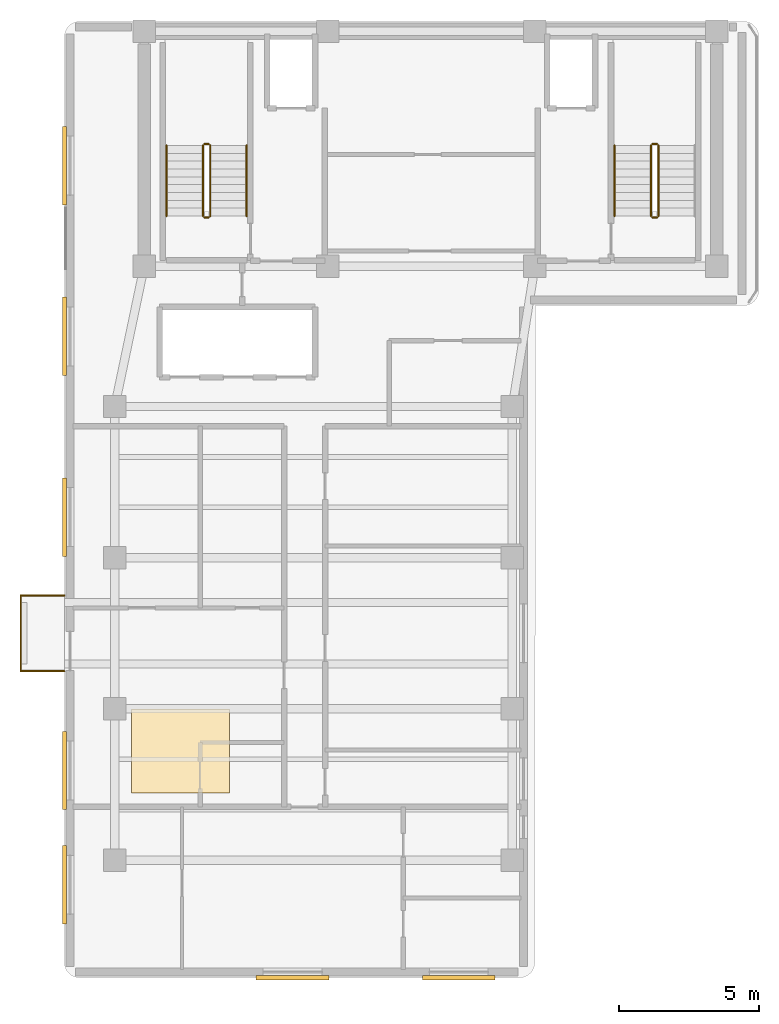
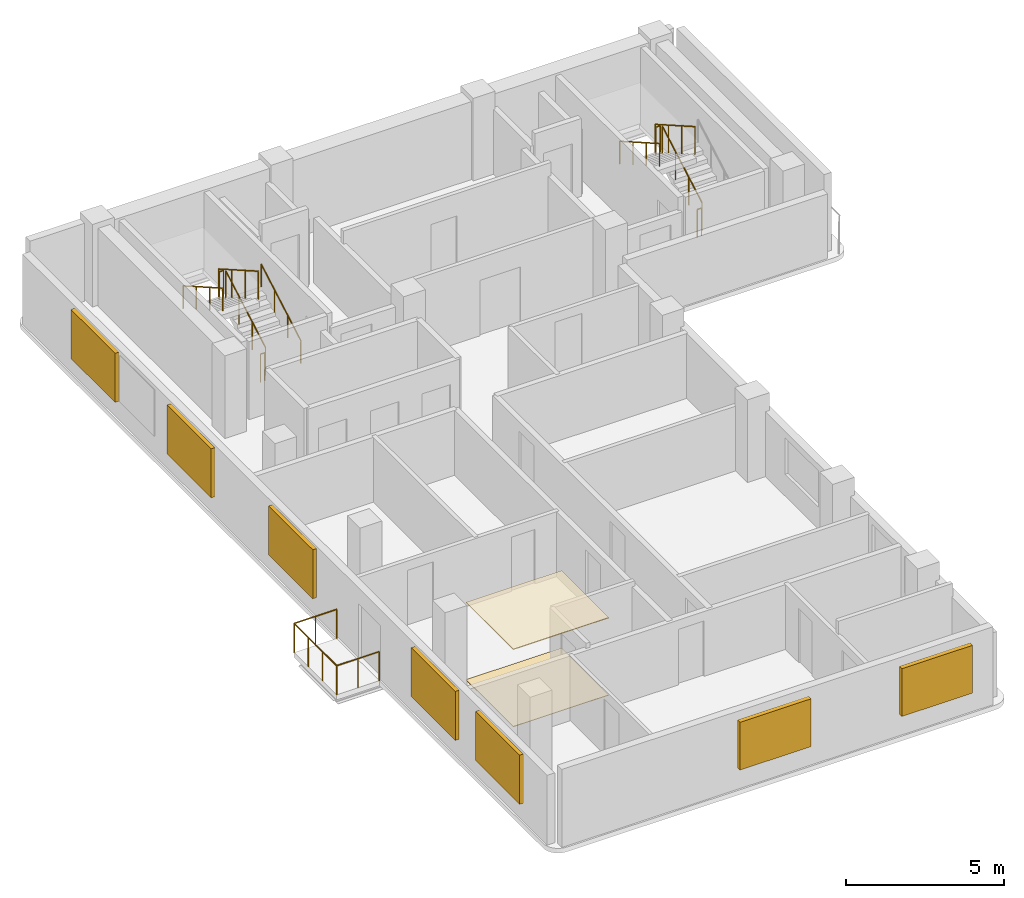
# One storey, part 4 of 5: 14 railings, 7 shading devices, 2 coverings.
"""IFC4 building model written with IfcOpenShell, lengths in metres."""

import ifcopenshell
import ifcopenshell.guid

model = None  # the IFC model being written
_history = None  # IfcOwnerHistory: only IFC2X3 demands one
_inside = {}  # id of a spatial element -> (the spatial element, [elements in it])
_under = {}  # id of a project, library or spatial element -> (it, [spatial elements below it])
_declared = {}  # id of a project -> (the project, [libraries it declares])
_typed = {}  # id of a type object -> (the type object, [elements of that type])
_made_of = {}  # id of a material, layer set ... -> (it, [elements and type objects made of it])


def new_model(schema):
    """Start an empty IFC model of exactly this schema.

    Asked for "IFC4X3", IfcOpenShell would pick the latest addendum, in which some entities
    have other attributes; the version numbers below select the first issue.
    IFC2X3 requires an IfcOwnerHistory on every rooted entity: one is made here for all.
    """
    global model, _history
    if schema == "IFC4X3":
        model = ifcopenshell.file(schema_version=(4, 3, 0, 0))
    else:
        model = ifcopenshell.file(schema=schema)
    _inside.clear()
    _under.clear()
    _declared.clear()
    _typed.clear()
    _made_of.clear()
    _history = None
    if model.schema == "IFC2X3":
        org = make("IfcOrganization", Name="unknown")
        user = make(
            "IfcPersonAndOrganization",
            ThePerson=make("IfcPerson", FamilyName="unknown"),
            TheOrganization=org,
        )
        app = make(
            "IfcApplication",
            ApplicationDeveloper=org,
            Version="unknown",
            ApplicationFullName="unknown",
            ApplicationIdentifier="unknown",
        )
        _history = make(
            "IfcOwnerHistory",
            OwningUser=user,
            OwningApplication=app,
            ChangeAction="ADDED",
            CreationDate=0,
        )
    return model


def make(cls, **values):
    """One entity of the class cls with the attributes given. An attribute that is None is left unset."""
    return model.create_entity(
        cls, **{name: value for name, value in values.items() if value is not None}
    )


def rooted(cls, **values):
    """An entity with a GlobalId (a new one), such as an element, a storey or a relation."""
    return make(cls, GlobalId=ifcopenshell.guid.new(), OwnerHistory=_history, **values)


def si_unit(unit_type, name, prefix=None):
    """IfcSIUnit, for example si_unit("LENGTHUNIT", "METRE", prefix="MILLI")."""
    return make("IfcSIUnit", UnitType=unit_type, Prefix=prefix, Name=name)


def assignment(units):
    """IfcUnitAssignment: the units of a project."""
    return None if units is None else make("IfcUnitAssignment", Units=units)


def point(xyz):
    """IfcCartesianPoint."""
    return None if xyz is None else make("IfcCartesianPoint", Coordinates=xyz)


def direction(xyz):
    """IfcDirection."""
    return None if xyz is None else make("IfcDirection", DirectionRatios=xyz)


def frame(location, z_axis=None, x_axis=None):
    """IfcAxis2Placement3D, a coordinate frame: its origin and axes. An axis left out is left unset."""
    return make(
        "IfcAxis2Placement3D",
        Location=point(location),
        Axis=direction(z_axis),
        RefDirection=direction(x_axis),
    )


def frame_2d(location, x_axis=None):
    """IfcAxis2Placement2D, a coordinate frame in the plane: its origin and x axis."""
    return make(
        "IfcAxis2Placement2D", Location=point(location), RefDirection=direction(x_axis)
    )


def origin():
    """The frame at (0, 0, 0) with its axes left unset."""
    return frame((0.0, 0.0, 0.0))


def origin_2d():
    """The frame at (0, 0) in the plane with its x axis left unset."""
    return frame_2d((0.0, 0.0))


def place(relative_to, where):
    """IfcLocalPlacement: puts the frame where relative to a parent placement (None: the world)."""
    return make(
        "IfcLocalPlacement", PlacementRelTo=relative_to, RelativePlacement=where
    )


def context(
    kind, dimensions, precision=None, world=None, true_north=None, identifier=None
):
    """IfcGeometricRepresentationContext, for example the 3D "Model" context."""
    return make(
        "IfcGeometricRepresentationContext",
        ContextIdentifier=identifier,
        ContextType=kind,
        CoordinateSpaceDimension=dimensions,
        Precision=precision,
        WorldCoordinateSystem=world,
        TrueNorth=true_north,
    )


def subcontext(parent, identifier, kind, view, scale=None):
    """IfcGeometricRepresentationSubContext, for example "Body" below "Model"."""
    return make(
        "IfcGeometricRepresentationSubContext",
        ContextIdentifier=identifier,
        ContextType=kind,
        ParentContext=parent,
        TargetScale=scale,
        TargetView=view,
    )


def project(units=None, contexts=None):
    """IfcProject with its units and contexts."""
    return rooted(
        "IfcProject",
        Name="project",
        RepresentationContexts=contexts,
        UnitsInContext=assignment(units),
    )


def spatial(cls, under=None, at=None, **own):
    """A site, building, storey or space (cls), placed at a placement, below another one or the project."""
    s = rooted(cls, ObjectPlacement=at, **own)
    if under is not None:
        _under.setdefault(under.id(), (under, []))[1].append(s)
    return s


def polyline(points):
    """IfcPolyline through the points."""
    return make("IfcPolyline", Points=[point(p) for p in points])


def profile(cls, at=None, kind="AREA", **sizes):
    """A parametric profile (cls). Its sizes go by their IFC names, for example OverallWidth=200.0."""
    return make(cls, ProfileType=kind, Position=at, **sizes)


def rectangle(**sizes):
    """IfcRectangleProfileDef."""
    return profile("IfcRectangleProfileDef", **sizes)


def circle(**sizes):
    """IfcCircleProfileDef."""
    return profile("IfcCircleProfileDef", **sizes)


def outline(outer, holes=None, kind="AREA"):
    """IfcArbitraryClosedProfileDef: a profile drawn as a closed curve; with holes, ...WithVoids."""
    if holes is None:
        return make("IfcArbitraryClosedProfileDef", ProfileType=kind, OuterCurve=outer)
    return make(
        "IfcArbitraryProfileDefWithVoids",
        ProfileType=kind,
        OuterCurve=outer,
        InnerCurves=holes,
    )


def extrude(swept, where, along, depth):
    """IfcExtrudedAreaSolid: the profile swept, set in the frame where, extruded along a direction by depth."""
    return make(
        "IfcExtrudedAreaSolid",
        SweptArea=swept,
        Position=where,
        ExtrudedDirection=direction(along),
        Depth=depth,
    )


def shape(context_of_items, identifier, shape_type, items):
    """IfcShapeRepresentation: the items that make up one representation, for example the "Body"."""
    return make(
        "IfcShapeRepresentation",
        ContextOfItems=context_of_items,
        RepresentationIdentifier=identifier,
        RepresentationType=shape_type,
        Items=items,
    )


def material(Name=None, Category=None):
    """IfcMaterial."""
    return make("IfcMaterial", Name=Name, Category=Category)


def layer(
    of_material, thickness, ventilated=None, Name=None, Category=None, Priority=None
):
    """IfcMaterialLayer: one layer of a wall or slab, of a material (None: an air gap)."""
    return make(
        "IfcMaterialLayer",
        Material=of_material,
        LayerThickness=thickness,
        IsVentilated=ventilated,
        Name=Name,
        Category=Category,
        Priority=Priority,
    )


def layer_set(layers, Name=None):
    """IfcMaterialLayerSet."""
    return make("IfcMaterialLayerSet", MaterialLayers=layers, LayerSetName=Name)


def made_of(thing, what):
    """Note that an element or type object is made of a material, layer set ...; save() writes the relation."""
    if what is not None:
        _made_of.setdefault(what.id(), (what, []))[1].append(thing)
    return thing


def type_object(cls, material=None, **own):
    """A type object (cls), such as IfcWallType, which elements share."""
    return made_of(rooted(cls, **own), material)


def element(
    cls,
    number,
    at=None,
    inside=None,
    cuts=None,
    type_object=None,
    material=None,
    context=None,
    identifier="Body",
    shape_type=None,
    held_by="IfcProductDefinitionShape",
    body=None,
    shapes=None,
    **own,
):
    """One element of the class cls, such as IfcWall. Its Tag is "e" and its number.

    at: its placement. inside: the storey or other place that contains it. cuts: it is an
    opening in that element (IfcRelVoidsElement). A single representation is given by context,
    identifier, shape_type and body (its items); several are given by shapes. held_by: the class
    of the entity that holds the representations. save() writes the other relations.
    """
    e = rooted(cls, Tag="e%d" % number, ObjectPlacement=at, **own)
    if body is not None:
        shapes = [shape(context, identifier, shape_type, body)]
    if shapes is not None:
        e.Representation = make(held_by, Representations=shapes)
    if inside is not None:
        _inside.setdefault(inside.id(), (inside, []))[1].append(e)
    if cuts is not None:
        rooted(
            "IfcRelVoidsElement", RelatingBuildingElement=cuts, RelatedOpeningElement=e
        )
    if type_object is not None:
        _typed.setdefault(type_object.id(), (type_object, []))[1].append(e)
    return made_of(e, material)


def aggregate(whole, parts):
    """IfcRelAggregates: a whole, such as a stair, and the parts it consists of."""
    return rooted("IfcRelAggregates", RelatingObject=whole, RelatedObjects=parts)


def save(model, path):
    """Write the relations noted so far, then the file.

    IfcRelAggregates (storeys below a building ...), IfcRelContainedInSpatialStructure (elements
    in a storey), IfcRelDefinesByType, IfcRelAssociatesMaterial and IfcRelDeclares: one each for
    every whole, place, type object, material and project.
    """
    for whole, parts in _under.values():
        aggregate(whole, parts)
    for where, things in _inside.values():
        rooted(
            "IfcRelContainedInSpatialStructure",
            RelatedElements=things,
            RelatingStructure=where,
        )
    for kind, things in _typed.values():
        rooted("IfcRelDefinesByType", RelatedObjects=things, RelatingType=kind)
    for what, things in _made_of.values():
        rooted("IfcRelAssociatesMaterial", RelatedObjects=things, RelatingMaterial=what)
    for by, libraries in _declared.values():
        rooted("IfcRelDeclares", RelatingContext=by, RelatedDefinitions=libraries)
    model.write(path)


model = new_model("IFC4")

# Units and contexts
model_context = context("Model", 3, precision=1e-05, world=origin(), true_north=direction((0.0, 1.0)))
body_context = subcontext(model_context, "Body", "Model", "MODEL_VIEW")
ifc_project = project(units=[si_unit("LENGTHUNIT", "METRE"), si_unit("AREAUNIT", "SQUARE_METRE"), si_unit("VOLUMEUNIT", "CUBIC_METRE"), si_unit("PLANEANGLEUNIT", "RADIAN"), si_unit("MASSUNIT", "GRAM", prefix="KILO")], contexts=[model_context])

# Site, building, storey
site_placement = place(None, origin())
site = spatial("IfcSite", under=ifc_project, at=site_placement, CompositionType="ELEMENT")
building_placement = place(site_placement, origin())
building = spatial("IfcBuilding", under=site, at=building_placement, Name="Kuzgunbayir Cultural Tower", CompositionType="ELEMENT")
storey_placement = place(building_placement, frame((0.0, 0.0, 224.800048828125)))
storey = spatial("IfcBuildingStorey", under=building, at=storey_placement, Name="L66", CompositionType="ELEMENT", Elevation=224.800048828125)

# Coverings
ifc_material_1 = material(Name="Perforated Gypsum Acoustic Tile", Category="gypsum")
ifc_layer_1 = layer(ifc_material_1, 0.02490234375)
ifc_layer_set_1 = layer_set([ifc_layer_1], Name="Perforated Gypsum Acoustic Tile")
covering_type_1 = type_object("IfcCoveringType", Name="COV-CEIL-ACOUSTIC", PredefinedType="CEILING", material=ifc_layer_set_1)
covering_1_placement = place(storey_placement, frame((0.0, 0.0, 2.989990234375)))
element("IfcCovering", 1, at=covering_1_placement, inside=storey, type_object=covering_type_1, Name="L66 Acoustic Soffit Ceiling", PredefinedType="CEILING", context=body_context, shape_type="SweptSolid", body=[
    extrude(outline(polyline([(6.0, 15.0), (9.5, 15.0), (9.5, 18.0), (6.0, 18.0), (6.0, 15.0)])), origin(), (0.0, 0.0, 1.0), 0.030029296875),
])
ifc_material_2 = material(Name="Engineered Anatolian Oak Parquet", Category="wood")
ifc_layer_2 = layer(ifc_material_2, 0.02197265625)
ifc_layer_set_2 = layer_set([ifc_layer_2], Name="Engineered Anatolian Oak Parquet")
covering_type_2 = type_object("IfcCoveringType", Name="COV-FLOOR-OAK", PredefinedType="FLOORING", material=ifc_layer_set_2)
covering_2_placement = place(storey_placement, origin())
element("IfcCovering", 2, at=covering_2_placement, inside=storey, type_object=covering_type_2, Name="L66 Acoustic Floor Finish", PredefinedType="FLOORING", context=body_context, shape_type="SweptSolid", body=[
    extrude(outline(polyline([(6.0, 15.0), (9.5, 15.0), (9.5, 18.0), (6.0, 18.0), (6.0, 15.0)])), origin(), (0.0, 0.0, 1.0), 0.02001953125),
])

# Railings
ifc_material_3 = material(Name="Laminated Glass and Stainless Steel", Category="steel")
ifc_layer_3 = layer(ifc_material_3, 0.080078125)
ifc_layer_set_3 = layer_set([ifc_layer_3], Name="Laminated Glass and Stainless Steel")
railing_type_1 = type_object("IfcRailingType", Name="RLG-BAL-115", PredefinedType="BALUSTRADE", material=ifc_layer_set_3)
railing_1_placement = place(storey_placement, frame((3.60009765625, 19.35009765625, 0.0)))
element("IfcRailing", 3, at=railing_1_placement, inside=storey, type_object=railing_type_1, Name="L66 Balcony Guard BAL-L66-WA2 Segment 1", PredefinedType="BALUSTRADE", context=body_context, shape_type="SweptSolid", body=[
    extrude(circle(Radius=0.02392578125, at=origin_2d()), frame((0.0, 0.0, 1.1259765625), z_axis=(-1.0, 0.0, 0.0), x_axis=(0.0, -1.0, 0.0)), (0.0, 0.0, 1.0), 1.56005859375),
    extrude(circle(Radius=0.02099609375, at=origin_2d()), origin(), (0.0, 0.0, 1.0), 1.101806640625),
    extrude(circle(Radius=0.02099609375, at=origin_2d()), frame((-0.780029296875, 0.0, 0.0)), (0.0, 0.0, 1.0), 1.101806640625),
    extrude(circle(Radius=0.02099609375, at=origin_2d()), frame((-1.56005859375, 0.0, 0.0)), (0.0, 0.0, 1.0), 1.101806640625),
])
railing_2_placement = place(storey_placement, frame((2.0400390625, 19.35009765625, 0.0)))
element("IfcRailing", 4, at=railing_2_placement, inside=storey, type_object=railing_type_1, Name="L66 Balcony Guard BAL-L66-WA2 Segment 2", PredefinedType="BALUSTRADE", context=body_context, shape_type="SweptSolid", body=[
    extrude(circle(Radius=0.02392578125, at=origin_2d()), frame((0.0, 0.0, 1.1259765625), z_axis=(0.0, 1.0, 0.0), x_axis=(-1.0, 0.0, 0.0)), (0.0, 0.0, 1.0), 2.699951171875),
    extrude(circle(Radius=0.02099609375, at=origin_2d()), origin(), (0.0, 0.0, 1.0), 1.101806640625),
    extrude(circle(Radius=0.02099609375, at=origin_2d()), frame((0.0, 0.89990234375, 0.0)), (0.0, 0.0, 1.0), 1.101806640625),
    extrude(circle(Radius=0.02099609375, at=origin_2d()), frame((0.0, 1.800048828125, 0.0)), (0.0, 0.0, 1.0), 1.101806640625),
    extrude(circle(Radius=0.02099609375, at=origin_2d()), frame((0.0, 2.699951171875, 0.0)), (0.0, 0.0, 1.0), 1.101806640625),
])
railing_3_placement = place(storey_placement, frame((2.0400390625, 22.050048828125, 0.0)))
element("IfcRailing", 5, at=railing_3_placement, inside=storey, type_object=railing_type_1, Name="L66 Balcony Guard BAL-L66-WA2 Segment 3", PredefinedType="BALUSTRADE", context=body_context, shape_type="SweptSolid", body=[
    extrude(circle(Radius=0.02392578125, at=origin_2d()), frame((0.0, 0.0, 1.1259765625), z_axis=(1.0, 0.0, 0.0), x_axis=(0.0, 1.0, 0.0)), (0.0, 0.0, 1.0), 1.56005859375),
    extrude(circle(Radius=0.02099609375, at=origin_2d()), origin(), (0.0, 0.0, 1.0), 1.101806640625),
    extrude(circle(Radius=0.02099609375, at=origin_2d()), frame((0.780029296875, 0.0, 0.0)), (0.0, 0.0, 1.0), 1.101806640625),
    extrude(circle(Radius=0.02099609375, at=origin_2d()), frame((1.56005859375, 0.0, 0.0)), (0.0, 0.0, 1.0), 1.101806640625),
])
ifc_material_4 = material(Name="Brushed Stainless Steel", Category="steel")
ifc_layer_4 = layer(ifc_material_4, 0.050048828125)
ifc_layer_set_4 = layer_set([ifc_layer_4], Name="Brushed Stainless Steel")
railing_type_2 = type_object("IfcRailingType", Name="RLG-STAIR-HANDRAIL", PredefinedType="HANDRAIL", material=ifc_layer_set_4)
railing_4_placement = place(storey_placement, frame((10.110107421875, 35.60009765625, 0.159912109375)))
element("IfcRailing", 6, at=railing_4_placement, inside=storey, type_object=railing_type_2, Name="L66 ST-1 stair handrail 1", PredefinedType="HANDRAIL", context=body_context, shape_type="SweptSolid", body=[
    extrude(circle(Radius=0.02392578125, at=origin_2d()), frame((0.0, 0.0, 0.8759765625), z_axis=(0.0, 0.868253494771, 0.496120820787), x_axis=(-1.0, 0.0, 0.0)), (0.0, 0.0, 1.0), 2.90234375),
    extrude(circle(Radius=0.02099609375, at=origin_2d()), origin(), (0.0, 0.0, 1.0), 0.851806640625),
    extrude(circle(Radius=0.02099609375, at=origin_2d()), frame((0.0, 0.840087890625, 0.47998046875)), (0.0, 0.0, 1.0), 0.851806640625),
    extrude(circle(Radius=0.02099609375, at=origin_2d()), frame((0.0, 1.679931640625, 0.9599609375)), (0.0, 0.0, 1.0), 0.851806640625),
    extrude(circle(Radius=0.02099609375, at=origin_2d()), frame((0.0, 2.52001953125, 1.43994140625)), (0.0, 0.0, 1.0), 0.851806640625),
])
for number, where, name in (
    (7, (7.25, 38.1201171875, 1.760009765625), "L66 ST-1 stair handrail 2"),
    (8, (23.25, 38.1201171875, 1.760009765625), "L66 ST-2 stair handrail 2"),
):
    element("IfcRailing", number, at=place(storey_placement, frame(where)), inside=storey, type_object=railing_type_2, Name=name, PredefinedType="HANDRAIL", context=body_context, shape_type="SweptSolid", body=[
        extrude(circle(Radius=0.02392578125, at=origin_2d()), frame((0.0, 0.0, 0.8759765625), z_axis=(0.0, -0.868253494771, 0.496120820787), x_axis=(1.0, 0.0, 0.0)), (0.0, 0.0, 1.0), 2.90234375),
        extrude(circle(Radius=0.02099609375, at=origin_2d()), origin(), (0.0, 0.0, 1.0), 0.851806640625),
        extrude(circle(Radius=0.02099609375, at=origin_2d()), frame((0.0, -0.840087890625, 0.47998046875)), (0.0, 0.0, 1.0), 0.851806640625),
        extrude(circle(Radius=0.02099609375, at=origin_2d()), frame((0.0, -1.679931640625, 0.9599609375)), (0.0, 0.0, 1.0), 0.851806640625),
        extrude(circle(Radius=0.02099609375, at=origin_2d()), frame((0.0, -2.52001953125, 1.43994140625)), (0.0, 0.0, 1.0), 0.851806640625),
    ])
ifc_material_5 = material(Name="Painted Steel Balustrade", Category="steel")
ifc_layer_5 = layer(ifc_material_5, 0.06005859375)
ifc_layer_set_5 = layer_set([ifc_layer_5], Name="Painted Steel Balustrade")
railing_type_3 = type_object("IfcRailingType", Name="RLG-WELL-GUARD", PredefinedType="GUARDRAIL", material=ifc_layer_set_5)
railing_5_placement = place(storey_placement, frame((8.81005859375, 35.60009765625, 0.159912109375)))
element("IfcRailing", 9, at=railing_5_placement, inside=storey, type_object=railing_type_3, Name="L66 ST-1 stair guard 1", PredefinedType="GUARDRAIL", context=body_context, shape_type="SweptSolid", body=[
    extrude(circle(Radius=0.02392578125, at=origin_2d()), frame((0.0, 0.0, 1.076171875), z_axis=(0.0, 0.868253494771, 0.496120820787), x_axis=(-1.0, 0.0, 0.0)), (0.0, 0.0, 1.0), 2.90234375),
    extrude(circle(Radius=0.02099609375, at=origin_2d()), origin(), (0.0, 0.0, 1.0), 1.052001953125),
    extrude(circle(Radius=0.02099609375, at=origin_2d()), frame((0.0, 0.840087890625, 0.47998046875)), (0.0, 0.0, 1.0), 1.052001953125),
    extrude(circle(Radius=0.02099609375, at=origin_2d()), frame((0.0, 1.679931640625, 0.9599609375)), (0.0, 0.0, 1.0), 1.052001953125),
    extrude(circle(Radius=0.02099609375, at=origin_2d()), frame((0.0, 2.52001953125, 1.43994140625)), (0.0, 0.0, 1.0), 1.052001953125),
])
railing_6_placement = place(storey_placement, frame((8.760009765625, 38.169921875, 1.599853515625)))
element("IfcRailing", 10, at=railing_6_placement, inside=storey, type_object=railing_type_3, Name="L66 ST-1 stair guard 2", PredefinedType="GUARDRAIL", context=body_context, shape_type="SweptSolid", body=[
    extrude(circle(Radius=0.02392578125, at=origin_2d()), frame((0.0, 0.0, 1.076171875), z_axis=(-1.0, 0.0, 0.0), x_axis=(0.0, -1.0, 0.0)), (0.0, 0.0, 1.0), 0.159912109375),
    extrude(circle(Radius=0.02099609375, at=origin_2d()), origin(), (0.0, 0.0, 1.0), 1.052001953125),
    extrude(circle(Radius=0.02099609375, at=origin_2d()), frame((-0.159912109375, 0.0, 0.0)), (0.0, 0.0, 1.0), 1.052001953125),
])
railing_7_placement = place(storey_placement, frame((8.550048828125, 38.1201171875, 1.760009765625)))
element("IfcRailing", 11, at=railing_7_placement, inside=storey, type_object=railing_type_3, Name="L66 ST-1 stair guard 3", PredefinedType="GUARDRAIL", context=body_context, shape_type="SweptSolid", body=[
    extrude(circle(Radius=0.02392578125, at=origin_2d()), frame((0.0, 0.0, 1.076171875), z_axis=(0.0, -0.868253494771, 0.496120820787), x_axis=(1.0, 0.0, 0.0)), (0.0, 0.0, 1.0), 2.90234375),
    extrude(circle(Radius=0.02099609375, at=origin_2d()), origin(), (0.0, 0.0, 1.0), 1.052001953125),
    extrude(circle(Radius=0.02099609375, at=origin_2d()), frame((0.0, -0.840087890625, 0.47998046875)), (0.0, 0.0, 1.0), 1.052001953125),
    extrude(circle(Radius=0.02099609375, at=origin_2d()), frame((0.0, -1.679931640625, 0.9599609375)), (0.0, 0.0, 1.0), 1.052001953125),
    extrude(circle(Radius=0.02099609375, at=origin_2d()), frame((0.0, -2.52001953125, 1.43994140625)), (0.0, 0.0, 1.0), 1.052001953125),
])
railing_8_placement = place(storey_placement, frame((8.760009765625, 35.550048828125, 0.0)))
element("IfcRailing", 12, at=railing_8_placement, inside=storey, type_object=railing_type_3, Name="L66 ST-1 stair guard 4", PredefinedType="GUARDRAIL", context=body_context, shape_type="SweptSolid", body=[
    extrude(circle(Radius=0.02392578125, at=origin_2d()), frame((0.0, 0.0, 1.076171875), z_axis=(-1.0, 0.0, 0.0), x_axis=(0.0, -1.0, 0.0)), (0.0, 0.0, 1.0), 0.159912109375),
    extrude(circle(Radius=0.02099609375, at=origin_2d()), origin(), (0.0, 0.0, 1.0), 1.052001953125),
    extrude(circle(Radius=0.02099609375, at=origin_2d()), frame((-0.159912109375, 0.0, 0.0)), (0.0, 0.0, 1.0), 1.052001953125),
])
railing_9_placement = place(storey_placement, frame((24.81005859375, 35.60009765625, 0.159912109375)))
element("IfcRailing", 13, at=railing_9_placement, inside=storey, type_object=railing_type_3, Name="L66 ST-2 stair guard 1", PredefinedType="GUARDRAIL", context=body_context, shape_type="SweptSolid", body=[
    extrude(circle(Radius=0.02392578125, at=origin_2d()), frame((0.0, 0.0, 1.076171875), z_axis=(0.0, 0.868253494771, 0.496120820787), x_axis=(-1.0, 0.0, 0.0)), (0.0, 0.0, 1.0), 2.90234375),
    extrude(circle(Radius=0.02099609375, at=origin_2d()), origin(), (0.0, 0.0, 1.0), 1.052001953125),
    extrude(circle(Radius=0.02099609375, at=origin_2d()), frame((0.0, 0.840087890625, 0.47998046875)), (0.0, 0.0, 1.0), 1.052001953125),
    extrude(circle(Radius=0.02099609375, at=origin_2d()), frame((0.0, 1.679931640625, 0.9599609375)), (0.0, 0.0, 1.0), 1.052001953125),
    extrude(circle(Radius=0.02099609375, at=origin_2d()), frame((0.0, 2.52001953125, 1.43994140625)), (0.0, 0.0, 1.0), 1.052001953125),
])
railing_10_placement = place(storey_placement, frame((24.760009765625, 38.169921875, 1.599853515625)))
element("IfcRailing", 14, at=railing_10_placement, inside=storey, type_object=railing_type_3, Name="L66 ST-2 stair guard 2", PredefinedType="GUARDRAIL", context=body_context, shape_type="SweptSolid", body=[
    extrude(circle(Radius=0.02392578125, at=origin_2d()), frame((0.0, 0.0, 1.076171875), z_axis=(-1.0, 0.0, 0.0), x_axis=(0.0, -1.0, 0.0)), (0.0, 0.0, 1.0), 0.159912109375),
    extrude(circle(Radius=0.02099609375, at=origin_2d()), origin(), (0.0, 0.0, 1.0), 1.052001953125),
    extrude(circle(Radius=0.02099609375, at=origin_2d()), frame((-0.159912109375, 0.0, 0.0)), (0.0, 0.0, 1.0), 1.052001953125),
])
railing_11_placement = place(storey_placement, frame((24.550048828125, 38.1201171875, 1.760009765625)))
element("IfcRailing", 15, at=railing_11_placement, inside=storey, type_object=railing_type_3, Name="L66 ST-2 stair guard 3", PredefinedType="GUARDRAIL", context=body_context, shape_type="SweptSolid", body=[
    extrude(circle(Radius=0.02392578125, at=origin_2d()), frame((0.0, 0.0, 1.076171875), z_axis=(0.0, -0.868253494771, 0.496120820787), x_axis=(1.0, 0.0, 0.0)), (0.0, 0.0, 1.0), 2.90234375),
    extrude(circle(Radius=0.02099609375, at=origin_2d()), origin(), (0.0, 0.0, 1.0), 1.052001953125),
    extrude(circle(Radius=0.02099609375, at=origin_2d()), frame((0.0, -0.840087890625, 0.47998046875)), (0.0, 0.0, 1.0), 1.052001953125),
    extrude(circle(Radius=0.02099609375, at=origin_2d()), frame((0.0, -1.679931640625, 0.9599609375)), (0.0, 0.0, 1.0), 1.052001953125),
    extrude(circle(Radius=0.02099609375, at=origin_2d()), frame((0.0, -2.52001953125, 1.43994140625)), (0.0, 0.0, 1.0), 1.052001953125),
])
railing_12_placement = place(storey_placement, frame((24.760009765625, 35.550048828125, 0.0)))
element("IfcRailing", 16, at=railing_12_placement, inside=storey, type_object=railing_type_3, Name="L66 ST-2 stair guard 4", PredefinedType="GUARDRAIL", context=body_context, shape_type="SweptSolid", body=[
    extrude(circle(Radius=0.02392578125, at=origin_2d()), frame((0.0, 0.0, 1.076171875), z_axis=(-1.0, 0.0, 0.0), x_axis=(0.0, -1.0, 0.0)), (0.0, 0.0, 1.0), 0.159912109375),
    extrude(circle(Radius=0.02099609375, at=origin_2d()), origin(), (0.0, 0.0, 1.0), 1.052001953125),
    extrude(circle(Radius=0.02099609375, at=origin_2d()), frame((-0.159912109375, 0.0, 0.0)), (0.0, 0.0, 1.0), 1.052001953125),
])

# Shading devices
ifc_material_6 = material(Name="Perforated Bronze-Anodised Aluminium", Category="aluminium")
shading_device_type_1 = type_object("IfcShadingDeviceType", Name="SHD-SOLAR-BRONZE", PredefinedType="JALOUSIE", material=ifc_material_6)
for number, where, z_axis, x_axis, name in (
    (17, (3.60009765625, 11.719970703125, 0.7099609375), (0.0, 0.0, 1.0), (1.0, 0.0, 0.0), "L66 Perforated Bronze Solar Screen WAW1"),
    (18, (3.60009765625, 24.85009765625, 0.7099609375), (0.0, 0.0, 1.0), (1.0, 0.0, 0.0), "L66 Perforated Bronze Solar Screen WAW5"),
    (19, (3.60009765625, 15.800048828125, 0.7099609375), (0.0, 0.0, 1.0), (1.0, 0.0, 0.0), "L66 Perforated Bronze Solar Screen WAW6"),
    (20, (3.60009765625, 31.300048828125, 0.7099609375), (0.0, 0.0, 1.0), (1.0, 0.0, 0.0), "L66 Perforated Bronze Solar Screen WAW7"),
    (21, (3.60009765625, 37.39990234375, 0.7099609375), (0.0, 0.0, 1.0), (1.0, 0.0, 0.0), "L66 Perforated Bronze Solar Screen WAW8"),
):
    element("IfcShadingDevice", number, at=place(storey_placement, frame(where, z_axis=z_axis, x_axis=x_axis)), inside=storey, type_object=shading_device_type_1, Name=name, PredefinedType="JALOUSIE", context=body_context, shape_type="SweptSolid", body=[
        extrude(rectangle(XDim=0.139892578125, YDim=2.800048828125, at=origin_2d()), origin(), (0.0, 0.0, 1.0), 1.89990234375),
    ])
ifc_material_7 = material(Name="Warm Terracotta Ceramic Baguette", Category="masonry")
shading_device_type_2 = type_object("IfcShadingDeviceType", Name="SHD-SOLAR-CERAMIC", PredefinedType="SHUTTER", material=ifc_material_7)
for number, where, z_axis, x_axis, name in (
    (22, (11.75, 8.39990234375, 0.824951171875), (0.0, 0.0, 1.0), (1.0, 0.0, 0.0), "L66 Solar Screen WAS2"),
    (23, (17.679931640625, 8.39990234375, 0.824951171875), (0.0, 0.0, 1.0), (1.0, 0.0, 0.0), "L66 Solar Screen WAS3"),
):
    element("IfcShadingDevice", number, at=place(storey_placement, frame(where, z_axis=z_axis, x_axis=x_axis)), inside=storey, type_object=shading_device_type_2, Name=name, PredefinedType="SHUTTER", context=body_context, shape_type="SweptSolid", body=[
        extrude(rectangle(XDim=2.60009765625, YDim=0.159912109375, at=origin_2d()), origin(), (0.0, 0.0, 1.0), 1.85009765625),
    ])

save(model, "model.ifc")
